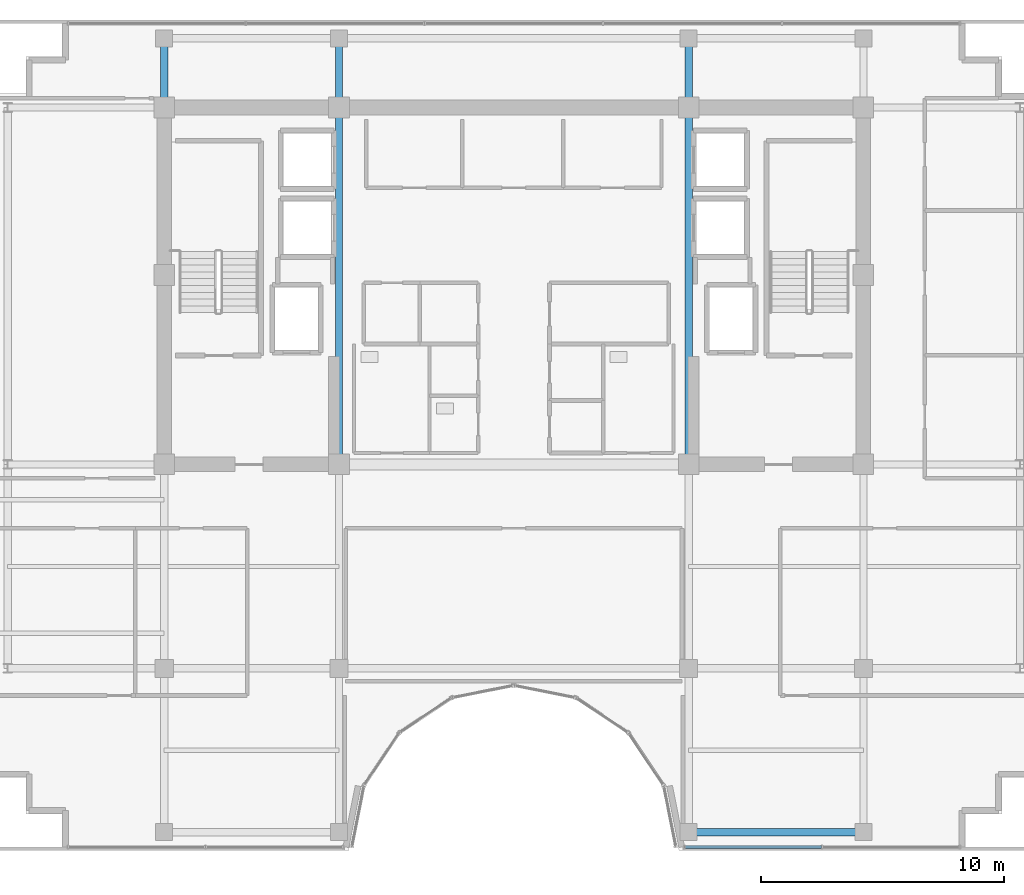
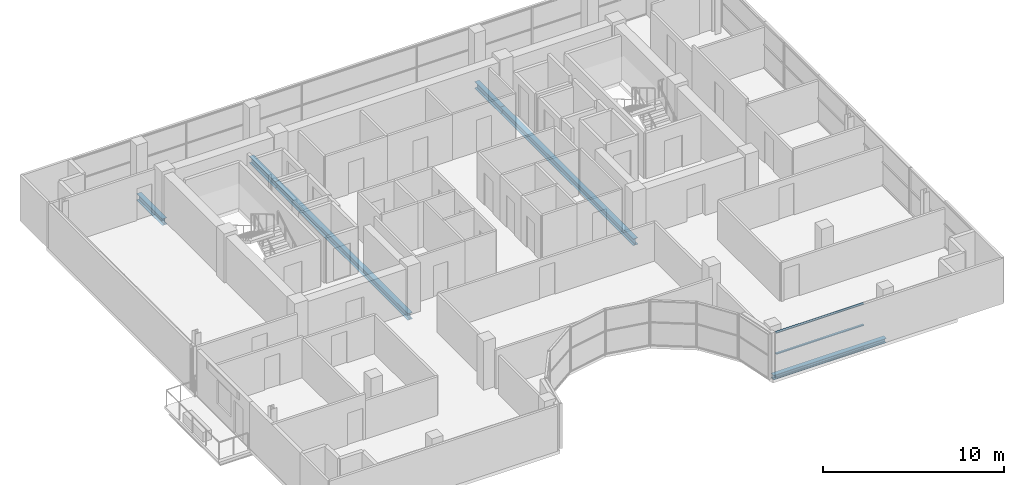
# One storey, part 10 of 28: 6 beams, 3 members, 1 element without a shape of its own.
"""IFC4 building model written with IfcOpenShell, lengths in metres."""

from ifc_helpers import new_model, si_unit, direction, frame, origin, origin_2d, place, context, subcontext, project, spatial, hollow_rectangle, i_section, extrude, source, transform, mapped, material, layer, layer_set, material_profile, profile_set, type_object, element, aggregate, save


model = new_model("IFC4")

# Units and contexts
model_context = context("Model", 3, precision=1e-05, world=origin(), true_north=direction((0.0, 1.0)))
body_context = subcontext(model_context, "Body", "Model", "MODEL_VIEW")
ifc_project = project(units=[si_unit("LENGTHUNIT", "METRE"), si_unit("AREAUNIT", "SQUARE_METRE"), si_unit("VOLUMEUNIT", "CUBIC_METRE"), si_unit("PLANEANGLEUNIT", "RADIAN"), si_unit("MASSUNIT", "GRAM", prefix="KILO")], contexts=[model_context])

# Site, building, storey
site_placement = place(None, origin())
site = spatial("IfcSite", under=ifc_project, at=site_placement, CompositionType="ELEMENT")
building_placement = place(site_placement, origin())
building = spatial("IfcBuilding", under=site, at=building_placement, Name="Zarnakvel Exchange Tower", CompositionType="ELEMENT")
storey_placement = place(building_placement, frame((0.0, 0.0, 261.699951171875)))
storey = spatial("IfcBuildingStorey", under=building, at=storey_placement, Name="L74", CompositionType="ELEMENT", Elevation=261.699951171875)

# Beams
ifc_material_1 = material(Name="Steel S355", Category="steel")
ifc_material_profile_1 = material_profile(ifc_material_1, i_section(OverallWidth=0.300048828125, OverallDepth=0.449951171875, WebThickness=0.013916015625, FlangeThickness=0.02587890625, FilletRadius=0.027099609375, at=origin_2d()))
ifc_profile_set_1 = profile_set([ifc_material_profile_1], Name="Steel S355")
beam_type_1 = type_object("IfcBeamType", Name="G-07", PredefinedType="BEAM", material=ifc_profile_set_1)
beam_1_placement = place(storey_placement, frame((-14.39990234375, 13.5, -0.449951171875), z_axis=(0.0, 1.0, 0.0), x_axis=(-1.0, 0.0, 0.0)))
element("IfcBeam", 1, at=beam_1_placement, inside=storey, type_object=beam_type_1, Name="L74 Tower N-S Frame Beam", PredefinedType="BEAM", context=body_context, shape_type="SweptSolid", body=[
    extrude(i_section(OverallWidth=0.300048828125, OverallDepth=0.449951171875, WebThickness=0.013916015625, FlangeThickness=0.02587890625, FilletRadius=0.027099609375, at=origin_2d()), origin(), (0.0, 0.0, 1.0), 2.85009765625),
])
beam_2_placement = place(storey_placement, frame((-7.199951171875, -1.199951171875, -0.449951171875), z_axis=(0.0, 1.0, 0.0), x_axis=(-1.0, 0.0, 0.0)))
element("IfcBeam", 2, at=beam_2_placement, inside=storey, type_object=beam_type_1, Name="L74 Tower N-S Frame Beam", PredefinedType="BEAM", context=body_context, shape_type="SweptSolid", body=[
    extrude(i_section(OverallWidth=0.300048828125, OverallDepth=0.449951171875, WebThickness=0.013916015625, FlangeThickness=0.02587890625, FilletRadius=0.027099609375, at=origin_2d()), origin(), (0.0, 0.0, 1.0), 14.699951171875),
])
beam_3_placement = place(storey_placement, frame((-7.199951171875, 13.5, -0.449951171875), z_axis=(0.0, 1.0, 0.0), x_axis=(-1.0, 0.0, 0.0)))
element("IfcBeam", 3, at=beam_3_placement, inside=storey, type_object=beam_type_1, Name="L74 Tower N-S Frame Beam", PredefinedType="BEAM", context=body_context, shape_type="SweptSolid", body=[
    extrude(i_section(OverallWidth=0.300048828125, OverallDepth=0.449951171875, WebThickness=0.013916015625, FlangeThickness=0.02587890625, FilletRadius=0.027099609375, at=origin_2d()), origin(), (0.0, 0.0, 1.0), 2.85009765625),
])
beam_4_placement = place(storey_placement, frame((7.199951171875, -1.199951171875, -0.449951171875), z_axis=(0.0, 1.0, 0.0), x_axis=(-1.0, 0.0, 0.0)))
element("IfcBeam", 4, at=beam_4_placement, inside=storey, type_object=beam_type_1, Name="L74 Tower N-S Frame Beam", PredefinedType="BEAM", context=body_context, shape_type="SweptSolid", body=[
    extrude(i_section(OverallWidth=0.300048828125, OverallDepth=0.449951171875, WebThickness=0.013916015625, FlangeThickness=0.02587890625, FilletRadius=0.027099609375, at=origin_2d()), origin(), (0.0, 0.0, 1.0), 14.699951171875),
])
beam_5_placement = place(storey_placement, frame((7.199951171875, 13.5, -0.449951171875), z_axis=(0.0, 1.0, 0.0), x_axis=(-1.0, 0.0, 0.0)))
element("IfcBeam", 5, at=beam_5_placement, inside=storey, type_object=beam_type_1, Name="L74 Tower N-S Frame Beam", PredefinedType="BEAM", context=body_context, shape_type="SweptSolid", body=[
    extrude(i_section(OverallWidth=0.300048828125, OverallDepth=0.449951171875, WebThickness=0.013916015625, FlangeThickness=0.02587890625, FilletRadius=0.027099609375, at=origin_2d()), origin(), (0.0, 0.0, 1.0), 2.85009765625),
])
ifc_material_profile_2 = material_profile(ifc_material_1, i_section(OverallWidth=0.300048828125, OverallDepth=0.300048828125, WebThickness=0.010986328125, FlangeThickness=0.01904296875, FilletRadius=0.027099609375, at=origin_2d()))
ifc_profile_set_2 = profile_set([ifc_material_profile_2], Name="Steel S355")
beam_type_2 = type_object("IfcBeamType", Name="SP-03", PredefinedType="SPANDREL", material=ifc_profile_set_2)
beam_6_placement = place(storey_placement, frame((7.199951171875, -16.35009765625, -0.375), z_axis=(1.0, 0.0, 0.0), x_axis=(0.0, 1.0, 0.0)))
element("IfcBeam", 6, at=beam_6_placement, inside=storey, type_object=beam_type_2, Name="L74 Tower E-W Frame Beam", PredefinedType="SPANDREL", context=body_context, shape_type="SweptSolid", body=[
    extrude(i_section(OverallWidth=0.300048828125, OverallDepth=0.300048828125, WebThickness=0.010986328125, FlangeThickness=0.01904296875, FilletRadius=0.027099609375, at=origin_2d()), origin(), (0.0, 0.0, 1.0), 7.199951171875),
])

# Curtain wall, members
ifc_material_2 = material(Name="Architectural Bronze Anodised Aluminium", Category="aluminium")
ifc_layer = layer(ifc_material_2, 0.159912109375)
ifc_layer_set = layer_set([ifc_layer], Name="Architectural Bronze Anodised Aluminium")
curtain_wall_type = type_object("IfcCurtainWallType", Name="CW-06", PredefinedType="NOTDEFINED", material=ifc_layer_set)
curtain_wall_placement = place(storey_placement, origin())
curtain_wall = element("IfcCurtainWall", 7, at=curtain_wall_placement, inside=storey, type_object=curtain_wall_type, Name="L74 Curtain Wall CW-L74-NSE (CW-06)", PredefinedType="NOTDEFINED")
ifc_material_profile_3 = material_profile(ifc_material_2, hollow_rectangle(XDim=0.1298828125, YDim=0.06494140625, WallThickness=0.00390625, at=origin_2d()))
ifc_profile_set_3 = profile_set([ifc_material_profile_3], Name="Architectural Bronze Anodised Aluminium")
member_type = type_object("IfcMemberType", Name="CWT-06", PredefinedType="USERDEFINED", material=ifc_profile_set_3)
shared_shape = source(origin(), body_context, "Body", "SweptSolid", [
    extrude(hollow_rectangle(XDim=0.1298828125, YDim=0.06494140625, WallThickness=0.00390625, at=origin_2d()), origin(), (0.0, 0.0, 1.0), 5.6025390625),
])
member_1_placement = place(storey_placement, frame((7.06494140625, -16.9599609375, 0.032470703125), z_axis=(1.0, 0.0, 0.0), x_axis=(0.0, 1.0, 0.0)))
member_1 = element("IfcMember", 8, at=member_1_placement, type_object=member_type, Name="CW-06 transom 1.1", ObjectType="TRANSOM", PredefinedType="USERDEFINED", context=body_context, shape_type="MappedRepresentation", body=[
    mapped(shared_shape, transform((0.0, 0.0, 0.0), x_axis=(1.0, 0.0, 0.0), y_axis=(0.0, 1.0, 0.0), z_axis=(0.0, 0.0, 1.0), scale=1.0)),
])
member_2_placement = place(storey_placement, frame((7.06494140625, -16.9599609375, 1.588623046875), z_axis=(1.0, 0.0, 0.0), x_axis=(0.0, 1.0, 0.0)))
member_2 = element("IfcMember", 9, at=member_2_placement, type_object=member_type, Name="CW-06 transom 1.2", ObjectType="TRANSOM", PredefinedType="USERDEFINED", context=body_context, shape_type="MappedRepresentation", body=[
    mapped(shared_shape, transform((0.0, 0.0, 0.0), x_axis=(1.0, 0.0, 0.0), y_axis=(0.0, 1.0, 0.0), z_axis=(0.0, 0.0, 1.0), scale=1.0)),
])
member_3_placement = place(storey_placement, frame((7.06494140625, -16.9599609375, 3.0224609375), z_axis=(1.0, 0.0, 0.0), x_axis=(0.0, 1.0, 0.0)))
member_3 = element("IfcMember", 10, at=member_3_placement, type_object=member_type, Name="CW-06 transom 1.3", ObjectType="TRANSOM", PredefinedType="USERDEFINED", context=body_context, shape_type="MappedRepresentation", body=[
    mapped(shared_shape, transform((0.0, 0.0, 0.0), x_axis=(1.0, 0.0, 0.0), y_axis=(0.0, 1.0, 0.0), z_axis=(0.0, 0.0, 1.0), scale=1.0)),
])
aggregate(curtain_wall, [member_1, member_2, member_3])

save(model, "model.ifc")
